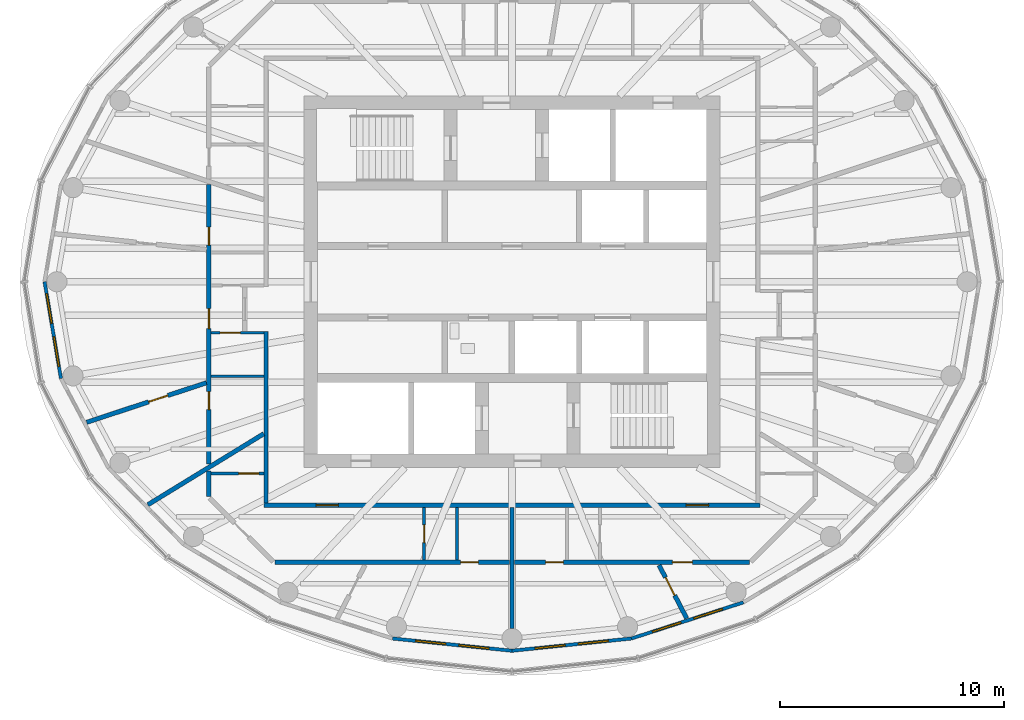
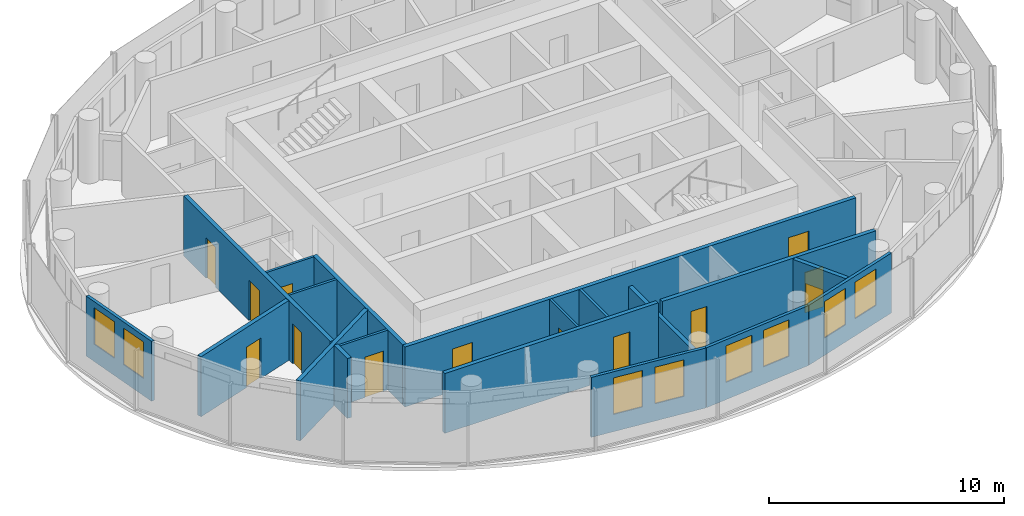
# One storey, part 5 of 12: 19 walls, 13 doors, 8 windows, 21 openings.
"""IFC4 building model written with IfcOpenShell, lengths in metres."""

from ifc_helpers import new_model, si_unit, direction, frame, frame_2d, origin, place, context, subcontext, project, spatial, rectangle, extrude, material, layer, layer_set, type_object, element, fill, save


model = new_model("IFC4")

# Units and contexts
model_context = context("Model", 3, precision=1e-05, world=origin(), true_north=direction((0.0, 1.0)))
body_context = subcontext(model_context, "Body", "Model", "MODEL_VIEW")
ifc_project = project(units=[si_unit("LENGTHUNIT", "METRE"), si_unit("AREAUNIT", "SQUARE_METRE"), si_unit("VOLUMEUNIT", "CUBIC_METRE"), si_unit("PLANEANGLEUNIT", "RADIAN"), si_unit("MASSUNIT", "GRAM", prefix="KILO")], contexts=[model_context])

# Site, building, storey
site_placement = place(None, origin())
site = spatial("IfcSite", under=ifc_project, at=site_placement, CompositionType="ELEMENT")
building_placement = place(site_placement, origin())
building = spatial("IfcBuilding", under=site, at=building_placement, Name="Hankou Lantern Tower", CompositionType="ELEMENT")
storey_placement = place(building_placement, frame((0.0, 0.0, 219.300048828125)))
storey = spatial("IfcBuildingStorey", under=building, at=storey_placement, Name="L59", CompositionType="ELEMENT", Elevation=219.300048828125)

# Wall, openings, windows
ifc_material_1 = material(Name="Aluminium spandrel panel on steel studs", Category="steel")
ifc_layer_1 = layer(ifc_material_1, 0.14990234375)
ifc_layer_set_1 = layer_set([ifc_layer_1], Name="Aluminium spandrel panel on steel studs")
wall_type_1 = type_object("IfcWallType", Name="EW1 INNER SKIN WALL 150", PredefinedType="ELEMENTEDWALL", material=ifc_layer_set_1)
wall_1_placement = place(storey_placement, frame((-20.89990234375, 0.0, 0.0), z_axis=(0.0, 0.0, 1.0), x_axis=(0.166538513568, -0.986034950445, 0.0)))
wall_1 = element("IfcWall", 1, at=wall_1_placement, inside=storey, type_object=wall_type_1, Name="Inner skin R13-R14 L59", PredefinedType="ELEMENTEDWALL", context=body_context, shape_type="SweptSolid", body=[
    extrude(rectangle(XDim=4.384765625, YDim=0.14990234375, at=frame_2d((2.1923828125, 0.0))), origin(), (0.0, 0.0, 1.0), 3.119873046875),
])
opening_1_placement = place(wall_1_placement, frame((0.54248046875, 0.0, 0.89990234375)))
opening_1 = element("IfcOpeningElement", 2, at=opening_1_placement, cuts=wall_1, Name="Opening W4", PredefinedType="OPENING", context=body_context, shape_type="SweptSolid", body=[
    extrude(rectangle(XDim=1.35009765625, YDim=1.89990234375, at=frame_2d((0.675048828125, 0.949951171875))), frame((0.0, 0.0849609375, 0.0), z_axis=(0.0, -1.0, 0.0), x_axis=(1.0, 0.0, 0.0)), (0.0, 0.0, 1.0), 0.169921875),
])
opening_2_placement = place(wall_1_placement, frame((2.492431640625, 0.0, 0.89990234375)))
opening_2 = element("IfcOpeningElement", 3, at=opening_2_placement, cuts=wall_1, Name="Opening W4", PredefinedType="OPENING", context=body_context, shape_type="SweptSolid", body=[
    extrude(rectangle(XDim=1.35009765625, YDim=1.89990234375, at=frame_2d((0.675048828125, 0.949951171875))), frame((0.0, 0.0849609375, 0.0), z_axis=(0.0, -1.0, 0.0), x_axis=(1.0, 0.0, 0.0)), (0.0, 0.0, 1.0), 0.169921875),
])
ifc_material_2 = material(Name="Aluminium framed double glazed window", Category="aluminium")
window_type = type_object("IfcWindowType", Name="W4 SUITE WINDOW 1350X1900", PartitioningType="DOUBLE_PANEL_VERTICAL", PredefinedType="WINDOW", material=ifc_material_2)
window_1_placement = place(opening_1_placement, origin())
window_1 = element("IfcWindow", 4, at=window_1_placement, inside=storey, type_object=window_type, Name="Window R13.1 L59", OverallHeight=1.89990234375, OverallWidth=1.35009765625, PartitioningType="SINGLE_PANEL", PredefinedType="WINDOW", context=body_context, shape_type="SweptSolid", body=[
    extrude(rectangle(XDim=1.35009765625, YDim=1.89990234375, at=frame_2d((0.675048828125, 0.949951171875))), frame((0.0, 0.030029296875, 0.0), z_axis=(0.0, -1.0, 0.0), x_axis=(1.0, 0.0, 0.0)), (0.0, 0.0, 1.0), 0.06005859375),
])
fill(opening_1, window_1)
window_2_placement = place(opening_2_placement, origin())
window_2 = element("IfcWindow", 5, at=window_2_placement, inside=storey, type_object=window_type, Name="Window R13.2 L59", OverallHeight=1.89990234375, OverallWidth=1.35009765625, PartitioningType="SINGLE_PANEL", PredefinedType="WINDOW", context=body_context, shape_type="SweptSolid", body=[
    extrude(rectangle(XDim=1.35009765625, YDim=1.89990234375, at=frame_2d((0.675048828125, 0.949951171875))), frame((0.0, 0.030029296875, 0.0), z_axis=(0.0, -1.0, 0.0), x_axis=(1.0, 0.0, 0.0)), (0.0, 0.0, 1.0), 0.06005859375),
])
fill(opening_2, window_2)

wall_2_placement = place(storey_placement, frame((-5.3427734375, -15.95166015625, 0.0), z_axis=(0.0, 0.0, 1.0), x_axis=(0.994774574972, -0.102095763818, 0.0)))
wall_2 = element("IfcWall", 6, at=wall_2_placement, inside=storey, type_object=wall_type_1, Name="Inner skin R18-R19 L59", PredefinedType="ELEMENTEDWALL", context=body_context, shape_type="SweptSolid", body=[
    extrude(rectangle(XDim=5.370849609375, YDim=0.14990234375, at=frame_2d((2.685546875, 0.0))), origin(), (0.0, 0.0, 1.0), 3.119873046875),
])
opening_3_placement = place(wall_2_placement, frame((1.035400390625, 0.0, 0.89990234375)))
opening_3 = element("IfcOpeningElement", 7, at=opening_3_placement, cuts=wall_2, Name="Opening W4", PredefinedType="OPENING", context=body_context, shape_type="SweptSolid", body=[
    extrude(rectangle(XDim=1.35009765625, YDim=1.89990234375, at=frame_2d((0.675048828125, 0.949951171875))), frame((0.0, 0.0849609375, 0.0), z_axis=(0.0, -1.0, 0.0), x_axis=(1.0, 0.0, 0.0)), (0.0, 0.0, 1.0), 0.169921875),
])
opening_4_placement = place(wall_2_placement, frame((2.9853515625, 0.0, 0.89990234375)))
opening_4 = element("IfcOpeningElement", 8, at=opening_4_placement, cuts=wall_2, Name="Opening W4", PredefinedType="OPENING", context=body_context, shape_type="SweptSolid", body=[
    extrude(rectangle(XDim=1.35009765625, YDim=1.89990234375, at=frame_2d((0.675048828125, 0.949951171875))), frame((0.0, 0.0849609375, 0.0), z_axis=(0.0, -1.0, 0.0), x_axis=(1.0, 0.0, 0.0)), (0.0, 0.0, 1.0), 0.169921875),
])
window_3_placement = place(opening_3_placement, origin())
window_3 = element("IfcWindow", 9, at=window_3_placement, inside=storey, type_object=window_type, Name="Window R18.1 L59", OverallHeight=1.89990234375, OverallWidth=1.35009765625, PartitioningType="SINGLE_PANEL", PredefinedType="WINDOW", context=body_context, shape_type="SweptSolid", body=[
    extrude(rectangle(XDim=1.35009765625, YDim=1.89990234375, at=frame_2d((0.675048828125, 0.949951171875))), frame((0.0, 0.030029296875, 0.0), z_axis=(0.0, -1.0, 0.0), x_axis=(1.0, 0.0, 0.0)), (0.0, 0.0, 1.0), 0.06005859375),
])
fill(opening_3, window_3)
window_4_placement = place(opening_4_placement, origin())
window_4 = element("IfcWindow", 10, at=window_4_placement, inside=storey, type_object=window_type, Name="Window R18.2 L59", OverallHeight=1.89990234375, OverallWidth=1.35009765625, PartitioningType="SINGLE_PANEL", PredefinedType="WINDOW", context=body_context, shape_type="SweptSolid", body=[
    extrude(rectangle(XDim=1.35009765625, YDim=1.89990234375, at=frame_2d((0.675048828125, 0.949951171875))), frame((0.0, 0.030029296875, 0.0), z_axis=(0.0, -1.0, 0.0), x_axis=(1.0, 0.0, 0.0)), (0.0, 0.0, 1.0), 0.06005859375),
])
fill(opening_4, window_4)

wall_3_placement = place(storey_placement, frame((0.0, -16.5, 0.0), z_axis=(0.0, 0.0, 1.0), x_axis=(0.994774574972, 0.102095763818, 0.0)))
wall_3 = element("IfcWall", 11, at=wall_3_placement, inside=storey, type_object=wall_type_1, Name="Inner skin R19-R20 L59", PredefinedType="ELEMENTEDWALL", context=body_context, shape_type="SweptSolid", body=[
    extrude(rectangle(XDim=5.370849609375, YDim=0.14990234375, at=frame_2d((2.685546875, 0.0))), origin(), (0.0, 0.0, 1.0), 3.119873046875),
])
opening_5_placement = place(wall_3_placement, frame((1.035400390625, 0.0, 0.89990234375)))
opening_5 = element("IfcOpeningElement", 12, at=opening_5_placement, cuts=wall_3, Name="Opening W4", PredefinedType="OPENING", context=body_context, shape_type="SweptSolid", body=[
    extrude(rectangle(XDim=1.35009765625, YDim=1.89990234375, at=frame_2d((0.675048828125, 0.949951171875))), frame((0.0, 0.0849609375, 0.0), z_axis=(0.0, -1.0, 0.0), x_axis=(1.0, 0.0, 0.0)), (0.0, 0.0, 1.0), 0.169921875),
])
opening_6_placement = place(wall_3_placement, frame((2.9853515625, 0.0, 0.89990234375)))
opening_6 = element("IfcOpeningElement", 13, at=opening_6_placement, cuts=wall_3, Name="Opening W4", PredefinedType="OPENING", context=body_context, shape_type="SweptSolid", body=[
    extrude(rectangle(XDim=1.35009765625, YDim=1.89990234375, at=frame_2d((0.675048828125, 0.949951171875))), frame((0.0, 0.0849609375, 0.0), z_axis=(0.0, -1.0, 0.0), x_axis=(1.0, 0.0, 0.0)), (0.0, 0.0, 1.0), 0.169921875),
])
window_5_placement = place(opening_5_placement, origin())
window_5 = element("IfcWindow", 14, at=window_5_placement, inside=storey, type_object=window_type, Name="Window R19.1 L59", OverallHeight=1.89990234375, OverallWidth=1.35009765625, PartitioningType="SINGLE_PANEL", PredefinedType="WINDOW", context=body_context, shape_type="SweptSolid", body=[
    extrude(rectangle(XDim=1.35009765625, YDim=1.89990234375, at=frame_2d((0.675048828125, 0.949951171875))), frame((0.0, 0.030029296875, 0.0), z_axis=(0.0, -1.0, 0.0), x_axis=(1.0, 0.0, 0.0)), (0.0, 0.0, 1.0), 0.06005859375),
])
fill(opening_5, window_5)
window_6_placement = place(opening_6_placement, origin())
window_6 = element("IfcWindow", 15, at=window_6_placement, inside=storey, type_object=window_type, Name="Window R19.2 L59", OverallHeight=1.89990234375, OverallWidth=1.35009765625, PartitioningType="SINGLE_PANEL", PredefinedType="WINDOW", context=body_context, shape_type="SweptSolid", body=[
    extrude(rectangle(XDim=1.35009765625, YDim=1.89990234375, at=frame_2d((0.675048828125, 0.949951171875))), frame((0.0, 0.030029296875, 0.0), z_axis=(0.0, -1.0, 0.0), x_axis=(1.0, 0.0, 0.0)), (0.0, 0.0, 1.0), 0.06005859375),
])
fill(opening_6, window_6)

wall_4_placement = place(storey_placement, frame((5.3427734375, -15.95166015625, 0.0), z_axis=(0.0, 0.0, 1.0), x_axis=(0.951644702515, 0.307200846638, 0.0)))
wall_4 = element("IfcWall", 16, at=wall_4_placement, inside=storey, type_object=wall_type_1, Name="Inner skin R20-R21 L59", PredefinedType="ELEMENTEDWALL", context=body_context, shape_type="SweptSolid", body=[
    extrude(rectangle(XDim=5.2578125, YDim=0.14990234375, at=frame_2d((2.62890625, 0.0))), origin(), (0.0, 0.0, 1.0), 3.119873046875),
])
opening_7_placement = place(wall_4_placement, frame((0.97900390625, 0.0, 0.89990234375)))
opening_7 = element("IfcOpeningElement", 17, at=opening_7_placement, cuts=wall_4, Name="Opening W4", PredefinedType="OPENING", context=body_context, shape_type="SweptSolid", body=[
    extrude(rectangle(XDim=1.35009765625, YDim=1.89990234375, at=frame_2d((0.675048828125, 0.949951171875))), frame((0.0, 0.0849609375, 0.0), z_axis=(0.0, -1.0, 0.0), x_axis=(1.0, 0.0, 0.0)), (0.0, 0.0, 1.0), 0.169921875),
])
opening_8_placement = place(wall_4_placement, frame((2.928955078125, 0.0, 0.89990234375)))
opening_8 = element("IfcOpeningElement", 18, at=opening_8_placement, cuts=wall_4, Name="Opening W4", PredefinedType="OPENING", context=body_context, shape_type="SweptSolid", body=[
    extrude(rectangle(XDim=1.35009765625, YDim=1.89990234375, at=frame_2d((0.675048828125, 0.949951171875))), frame((0.0, 0.0849609375, 0.0), z_axis=(0.0, -1.0, 0.0), x_axis=(1.0, 0.0, 0.0)), (0.0, 0.0, 1.0), 0.169921875),
])
window_7_placement = place(opening_7_placement, origin())
window_7 = element("IfcWindow", 19, at=window_7_placement, inside=storey, type_object=window_type, Name="Window R20.1 L59", OverallHeight=1.89990234375, OverallWidth=1.35009765625, PartitioningType="SINGLE_PANEL", PredefinedType="WINDOW", context=body_context, shape_type="SweptSolid", body=[
    extrude(rectangle(XDim=1.35009765625, YDim=1.89990234375, at=frame_2d((0.675048828125, 0.949951171875))), frame((0.0, 0.030029296875, 0.0), z_axis=(0.0, -1.0, 0.0), x_axis=(1.0, 0.0, 0.0)), (0.0, 0.0, 1.0), 0.06005859375),
])
fill(opening_7, window_7)
window_8_placement = place(opening_8_placement, origin())
window_8 = element("IfcWindow", 20, at=window_8_placement, inside=storey, type_object=window_type, Name="Window R20.2 L59", OverallHeight=1.89990234375, OverallWidth=1.35009765625, PartitioningType="SINGLE_PANEL", PredefinedType="WINDOW", context=body_context, shape_type="SweptSolid", body=[
    extrude(rectangle(XDim=1.35009765625, YDim=1.89990234375, at=frame_2d((0.675048828125, 0.949951171875))), frame((0.0, 0.030029296875, 0.0), z_axis=(0.0, -1.0, 0.0), x_axis=(1.0, 0.0, 0.0)), (0.0, 0.0, 1.0), 0.06005859375),
])
fill(opening_8, window_8)

# Walls
ifc_material_3 = material(Name="Masonry lightweight concrete block", Category="masonry")
ifc_layer_2 = layer(ifc_material_3, 0.199951171875)
ifc_layer_set_2 = layer_set([ifc_layer_2], Name="Masonry lightweight concrete block")
wall_type_2 = type_object("IfcWallType", Name="IW1 GUEST ROOM PARTY WALL 200", PredefinedType="PARTITIONING", material=ifc_layer_set_2)
wall_5_placement = place(storey_placement, frame((-11.10009765625, -6.79736328125, 0.0), z_axis=(0.0, 0.0, 1.0), x_axis=(-0.852799818179, -0.522237943963, 0.0)))
element("IfcWall", 21, at=wall_5_placement, inside=storey, type_object=wall_type_2, Name="Party wall R15-R16", PredefinedType="PARTITIONING", context=body_context, shape_type="SweptSolid", body=[
    extrude(rectangle(XDim=6.076904296875, YDim=0.199951171875, at=frame_2d((3.03857421875, 0.0))), origin(), (0.0, 0.0, 1.0), 3.119873046875),
])
wall_6_placement = place(storey_placement, frame((0.0, -10.10009765625, 0.0), z_axis=(0.0, 0.0, 1.0), x_axis=(0.0, -1.0, 0.0)))
element("IfcWall", 22, at=wall_6_placement, inside=storey, type_object=wall_type_2, Name="Party wall R19", PredefinedType="PARTITIONING", context=body_context, shape_type="SweptSolid", body=[
    extrude(rectangle(XDim=5.39990234375, YDim=0.199951171875, at=frame_2d((2.699951171875, 0.0))), origin(), (0.0, 0.0, 1.0), 2.419921875),
])

# Wall, openings, doors
ifc_material_4 = material(Name="Masonry lightweight concrete block", Category="masonry")
ifc_layer_3 = layer(ifc_material_4, 0.199951171875)
ifc_layer_set_3 = layer_set([ifc_layer_3], Name="Masonry lightweight concrete block")
wall_type_3 = type_object("IfcWallType", Name="IW2 CORRIDOR WALL 200", PredefinedType="PARTITIONING", material=ifc_layer_set_3)
wall_7_placement = place(storey_placement, frame((11.10009765625, -10.0, 0.0), z_axis=(0.0, 0.0, 1.0), x_axis=(-1.0, 0.0, 0.0)))
wall_7 = element("IfcWall", 23, at=wall_7_placement, inside=storey, type_object=wall_type_3, Name="Corridor wall south", PredefinedType="PARTITIONING", context=body_context, shape_type="SweptSolid", body=[
    extrude(rectangle(XDim=22.2001953125, YDim=0.199951171875, at=frame_2d((11.10009765625, 0.0))), origin(), (0.0, 0.0, 1.0), 3.119873046875),
])
opening_9_placement = place(wall_7_placement, frame((18.8642578125, 0.0, 0.0)))
opening_9 = element("IfcOpeningElement", 24, at=opening_9_placement, cuts=wall_7, Name="Opening D2", PredefinedType="OPENING", context=body_context, shape_type="SweptSolid", body=[
    extrude(rectangle(XDim=1.0, YDim=2.199951171875, at=frame_2d((0.5, 1.10009765625))), frame((0.0, 0.10986328125, 0.0), z_axis=(0.0, -1.0, 0.0), x_axis=(1.0, 0.0, 0.0)), (0.0, 0.0, 1.0), 0.219970703125),
])
opening_10_placement = place(wall_7_placement, frame((2.30908203125, 0.0, 0.0)))
opening_10 = element("IfcOpeningElement", 25, at=opening_10_placement, cuts=wall_7, Name="Opening D2", PredefinedType="OPENING", context=body_context, shape_type="SweptSolid", body=[
    extrude(rectangle(XDim=1.0, YDim=2.199951171875, at=frame_2d((0.5, 1.10009765625))), frame((0.0, 0.10986328125, 0.0), z_axis=(0.0, -1.0, 0.0), x_axis=(1.0, 0.0, 0.0)), (0.0, 0.0, 1.0), 0.219970703125),
])
ifc_material_5 = material(Name="Steel door leaf", Category="steel")
door_type_1 = type_object("IfcDoorType", Name="D2 SUITE DOOR 1000X2200", OperationType="SINGLE_SWING_LEFT", PredefinedType="DOOR", material=ifc_material_5)
door_1_placement = place(opening_9_placement, origin())
door_1 = element("IfcDoor", 26, at=door_1_placement, inside=storey, type_object=door_type_1, Name="Suite door 5904", OperationType="SINGLE_SWING_LEFT", OverallHeight=2.199951171875, OverallWidth=1.0, PredefinedType="DOOR", context=body_context, shape_type="SweptSolid", body=[
    extrude(rectangle(XDim=1.0, YDim=2.199951171875, at=frame_2d((0.5, 1.10009765625))), frame((0.0, 0.02490234375, 0.0), z_axis=(0.0, -1.0, 0.0), x_axis=(1.0, 0.0, 0.0)), (0.0, 0.0, 1.0), 0.050048828125),
])
fill(opening_9, door_1)
door_2_placement = place(opening_10_placement, origin())
door_2 = element("IfcDoor", 27, at=door_2_placement, inside=storey, type_object=door_type_1, Name="Suite door 5905", OperationType="SINGLE_SWING_RIGHT", OverallHeight=2.199951171875, OverallWidth=1.0, PredefinedType="DOOR", context=body_context, shape_type="SweptSolid", body=[
    extrude(rectangle(XDim=1.0, YDim=2.199951171875, at=frame_2d((0.5, 1.10009765625))), frame((0.0, 0.02490234375, 0.0), z_axis=(0.0, -1.0, 0.0), x_axis=(1.0, 0.0, 0.0)), (0.0, 0.0, 1.0), 0.050048828125),
])
fill(opening_10, door_2)

# Wall
wall_8_placement = place(storey_placement, frame((-11.0, -2.234375, 0.0), z_axis=(0.0, 0.0, 1.0), x_axis=(0.0, -1.0, 0.0)))
element("IfcWall", 28, at=wall_8_placement, inside=storey, type_object=wall_type_3, Name="Corridor wall west", PredefinedType="PARTITIONING", context=body_context, shape_type="SweptSolid", body=[
    extrude(rectangle(XDim=7.66552734375, YDim=0.199951171875, at=frame_2d((3.832763671875, 0.0))), origin(), (0.0, 0.0, 1.0), 3.119873046875),
])

# Wall, opening, door
ifc_material_6 = material(Name="Masonry lightweight concrete block", Category="masonry")
ifc_layer_4 = layer(ifc_material_6, 0.1201171875)
ifc_layer_set_4 = layer_set([ifc_layer_4], Name="Masonry lightweight concrete block")
wall_type_4 = type_object("IfcWallType", Name="IW3 BATHROOM WALL 120", PredefinedType="PARTITIONING", material=ifc_layer_set_4)
wall_9_placement = place(storey_placement, frame((-11.10009765625, -2.284423828125, 0.0), z_axis=(0.0, 0.0, 1.0), x_axis=(-1.0, 0.0, 0.0)))
wall_9 = element("IfcWall", 29, at=wall_9_placement, inside=storey, type_object=wall_type_4, Name="Box wall 5903 3", PredefinedType="PARTITIONING", context=body_context, shape_type="SweptSolid", body=[
    extrude(rectangle(XDim=2.349853515625, YDim=0.1201171875, at=frame_2d((1.1748046875, 0.0))), origin(), (0.0, 0.0, 1.0), 3.119873046875),
])
opening_11_placement = place(wall_9_placement, frame((1.050048828125, 0.0, 0.0)))
opening_11 = element("IfcOpeningElement", 30, at=opening_11_placement, cuts=wall_9, Name="Opening D27", PredefinedType="OPENING", context=body_context, shape_type="SweptSolid", body=[
    extrude(rectangle(XDim=0.89990234375, YDim=2.10009765625, at=frame_2d((0.449951171875, 1.050048828125))), frame((0.0, 0.070068359375, 0.0), z_axis=(0.0, -1.0, 0.0), x_axis=(1.0, 0.0, 0.0)), (0.0, 0.0, 1.0), 0.14013671875),
])
ifc_material_7 = material(Name="Timber door leaf", Category="wood")
door_type_2 = type_object("IfcDoorType", Name="D27 INTERNAL DOOR 900X2100", OperationType="SINGLE_SWING_LEFT", PredefinedType="DOOR", material=ifc_material_7)
door_3_placement = place(opening_11_placement, origin())
door_3 = element("IfcDoor", 31, at=door_3_placement, inside=storey, type_object=door_type_2, Name="Family suite 5903 walk-in wardrobe door", OperationType="SINGLE_SWING_RIGHT", OverallHeight=2.10009765625, OverallWidth=0.89990234375, PredefinedType="DOOR", context=body_context, shape_type="SweptSolid", body=[
    extrude(rectangle(XDim=0.89990234375, YDim=2.10009765625, at=frame_2d((0.449951171875, 1.050048828125))), frame((0.0, 0.02490234375, 0.0), z_axis=(0.0, -1.0, 0.0), x_axis=(1.0, 0.0, 0.0)), (0.0, 0.0, 1.0), 0.050048828125),
])
fill(opening_11, door_3)

# Wall
wall_10_placement = place(storey_placement, frame((-11.10009765625, -4.227783203125, 0.0), z_axis=(0.0, 0.0, 1.0), x_axis=(-1.0, 0.0, 0.0)))
element("IfcWall", 32, at=wall_10_placement, inside=storey, type_object=wall_type_4, Name="Box wall 5903 4", PredefinedType="PARTITIONING", context=body_context, shape_type="SweptSolid", body=[
    extrude(rectangle(XDim=2.349853515625, YDim=0.1201171875, at=frame_2d((1.1748046875, 0.0))), origin(), (0.0, 0.0, 1.0), 3.119873046875),
])

# Wall, opening, door
wall_11_placement = place(storey_placement, frame((-11.10009765625, -8.57568359375, 0.0), z_axis=(0.0, 0.0, 1.0), x_axis=(-1.0, 0.0, 0.0)))
wall_11 = element("IfcWall", 33, at=wall_11_placement, inside=storey, type_object=wall_type_4, Name="Box wall 5904 1", PredefinedType="PARTITIONING", context=body_context, shape_type="SweptSolid", body=[
    extrude(rectangle(XDim=2.349853515625, YDim=0.1201171875, at=frame_2d((1.1748046875, 0.0))), origin(), (0.0, 0.0, 1.0), 3.119873046875),
])
opening_12_placement = place(wall_11_placement, frame((0.219970703125, 0.0, 0.0)))
opening_12 = element("IfcOpeningElement", 34, at=opening_12_placement, cuts=wall_11, Name="Opening D27", PredefinedType="OPENING", context=body_context, shape_type="SweptSolid", body=[
    extrude(rectangle(XDim=0.89990234375, YDim=2.10009765625, at=frame_2d((0.449951171875, 1.050048828125))), frame((0.0, 0.070068359375, 0.0), z_axis=(0.0, -1.0, 0.0), x_axis=(1.0, 0.0, 0.0)), (0.0, 0.0, 1.0), 0.14013671875),
])
door_4_placement = place(opening_12_placement, origin())
door_4 = element("IfcDoor", 35, at=door_4_placement, inside=storey, type_object=door_type_2, Name="Suite 5904 walk-in wardrobe door", OperationType="SINGLE_SWING_LEFT", OverallHeight=2.10009765625, OverallWidth=0.89990234375, PredefinedType="DOOR", context=body_context, shape_type="SweptSolid", body=[
    extrude(rectangle(XDim=0.89990234375, YDim=2.10009765625, at=frame_2d((0.449951171875, 1.050048828125))), frame((0.0, 0.02490234375, 0.0), z_axis=(0.0, -1.0, 0.0), x_axis=(1.0, 0.0, 0.0)), (0.0, 0.0, 1.0), 0.050048828125),
])
fill(opening_12, door_4)

wall_12_placement = place(storey_placement, frame((-3.930908203125, -10.10009765625, 0.0), z_axis=(0.0, 0.0, 1.0), x_axis=(0.0, -1.0, 0.0)))
wall_12 = element("IfcWall", 36, at=wall_12_placement, inside=storey, type_object=wall_type_4, Name="Box wall 5904 2", PredefinedType="PARTITIONING", context=body_context, shape_type="SweptSolid", body=[
    extrude(rectangle(XDim=2.349853515625, YDim=0.1201171875, at=frame_2d((1.1748046875, 0.0))), origin(), (0.0, 0.0, 1.0), 3.119873046875),
])
opening_13_placement = place(wall_12_placement, frame((0.77001953125, 0.0, 0.0)))
opening_13 = element("IfcOpeningElement", 37, at=opening_13_placement, cuts=wall_12, Name="Opening D3", PredefinedType="OPENING", context=body_context, shape_type="SweptSolid", body=[
    extrude(rectangle(XDim=0.800048828125, YDim=2.10009765625, at=frame_2d((0.39990234375, 1.050048828125))), frame((0.0, 0.070068359375, 0.0), z_axis=(0.0, -1.0, 0.0), x_axis=(1.0, 0.0, 0.0)), (0.0, 0.0, 1.0), 0.14013671875),
])
ifc_material_8 = material(Name="Timber door leaf", Category="wood")
door_type_3 = type_object("IfcDoorType", Name="D3 BATHROOM DOOR 800X2100", OperationType="SINGLE_SWING_LEFT", PredefinedType="DOOR", material=ifc_material_8)
door_5_placement = place(opening_13_placement, origin())
door_5 = element("IfcDoor", 38, at=door_5_placement, inside=storey, type_object=door_type_3, Name="Suite 5904 guest WC door", OperationType="SINGLE_SWING_LEFT", OverallHeight=2.10009765625, OverallWidth=0.800048828125, PredefinedType="DOOR", context=body_context, shape_type="SweptSolid", body=[
    extrude(rectangle(XDim=0.800048828125, YDim=2.10009765625, at=frame_2d((0.39990234375, 1.050048828125))), frame((0.0, 0.02490234375, 0.0), z_axis=(0.0, -1.0, 0.0), x_axis=(1.0, 0.0, 0.0)), (0.0, 0.0, 1.0), 0.050048828125),
])
fill(opening_13, door_5)

# Wall
wall_13_placement = place(storey_placement, frame((-2.4609375, -10.10009765625, 0.0), z_axis=(0.0, 0.0, 1.0), x_axis=(0.0, -1.0, 0.0)))
element("IfcWall", 39, at=wall_13_placement, inside=storey, type_object=wall_type_4, Name="Box wall 5904 3", PredefinedType="PARTITIONING", context=body_context, shape_type="SweptSolid", body=[
    extrude(rectangle(XDim=2.349853515625, YDim=0.1201171875, at=frame_2d((1.1748046875, 0.0))), origin(), (0.0, 0.0, 1.0), 3.119873046875),
])

# Wall, openings, doors
ifc_material_9 = material(Name="Masonry lightweight concrete block", Category="masonry")
ifc_layer_5 = layer(ifc_material_9, 0.199951171875)
ifc_layer_set_5 = layer_set([ifc_layer_5], Name="Masonry lightweight concrete block")
wall_type_5 = type_object("IfcWallType", Name="IW6 SUITE PARTITION 200", PredefinedType="PARTITIONING", material=ifc_layer_set_5)
wall_14_placement = place(storey_placement, frame((-13.550048828125, 4.357177734375, 0.0), z_axis=(0.0, 0.0, 1.0), x_axis=(0.0, -1.0, 0.0)))
wall_14 = element("IfcWall", 40, at=wall_14_placement, inside=storey, type_object=wall_type_5, Name="Suite foyer wall 5903", PredefinedType="PARTITIONING", context=body_context, shape_type="SweptSolid", body=[
    extrude(rectangle(XDim=12.496337890625, YDim=0.199951171875, at=frame_2d((6.248046875, 0.0))), origin(), (0.0, 0.0, 1.0), 3.119873046875),
])
opening_14_placement = place(wall_14_placement, frame((1.919921875, 0.0, 0.0)))
opening_14 = element("IfcOpeningElement", 41, at=opening_14_placement, cuts=wall_14, Name="Opening D3", PredefinedType="OPENING", context=body_context, shape_type="SweptSolid", body=[
    extrude(rectangle(XDim=0.800048828125, YDim=2.10009765625, at=frame_2d((0.39990234375, 1.050048828125))), frame((0.0, 0.10986328125, 0.0), z_axis=(0.0, -1.0, 0.0), x_axis=(1.0, 0.0, 0.0)), (0.0, 0.0, 1.0), 0.219970703125),
])
opening_15_placement = place(wall_14_placement, frame((9.27001953125, 0.0, 0.0)))
opening_15 = element("IfcOpeningElement", 42, at=opening_15_placement, cuts=wall_14, Name="Opening D3", PredefinedType="OPENING", context=body_context, shape_type="SweptSolid", body=[
    extrude(rectangle(XDim=0.800048828125, YDim=2.10009765625, at=frame_2d((0.39990234375, 1.050048828125))), frame((0.0, 0.10986328125, 0.0), z_axis=(0.0, -1.0, 0.0), x_axis=(1.0, 0.0, 0.0)), (0.0, 0.0, 1.0), 0.219970703125),
])
opening_16_placement = place(wall_14_placement, frame((5.556640625, 0.0, 0.0)))
opening_16 = element("IfcOpeningElement", 43, at=opening_16_placement, cuts=wall_14, Name="Opening D27", PredefinedType="OPENING", context=body_context, shape_type="SweptSolid", body=[
    extrude(rectangle(XDim=0.89990234375, YDim=2.10009765625, at=frame_2d((0.449951171875, 1.050048828125))), frame((0.0, 0.10986328125, 0.0), z_axis=(0.0, -1.0, 0.0), x_axis=(1.0, 0.0, 0.0)), (0.0, 0.0, 1.0), 0.219970703125),
])
door_6_placement = place(opening_16_placement, origin())
door_6 = element("IfcDoor", 44, at=door_6_placement, inside=storey, type_object=door_type_2, Name="Family suite 5903 living room door", OperationType="SINGLE_SWING_RIGHT", OverallHeight=2.10009765625, OverallWidth=0.89990234375, PredefinedType="DOOR", context=body_context, shape_type="SweptSolid", body=[
    extrude(rectangle(XDim=0.89990234375, YDim=2.10009765625, at=frame_2d((0.449951171875, 1.050048828125))), frame((0.0, 0.02490234375, 0.0), z_axis=(0.0, -1.0, 0.0), x_axis=(1.0, 0.0, 0.0)), (0.0, 0.0, 1.0), 0.050048828125),
])
fill(opening_16, door_6)
door_7_placement = place(opening_14_placement, origin())
door_7 = element("IfcDoor", 45, at=door_7_placement, inside=storey, type_object=door_type_3, Name="Family suite 5903 bathroom door", OperationType="SINGLE_SWING_RIGHT", OverallHeight=2.10009765625, OverallWidth=0.800048828125, PredefinedType="DOOR", context=body_context, shape_type="SweptSolid", body=[
    extrude(rectangle(XDim=0.800048828125, YDim=2.10009765625, at=frame_2d((0.39990234375, 1.050048828125))), frame((0.0, 0.02490234375, 0.0), z_axis=(0.0, -1.0, 0.0), x_axis=(1.0, 0.0, 0.0)), (0.0, 0.0, 1.0), 0.050048828125),
])
fill(opening_14, door_7)
door_8_placement = place(opening_15_placement, origin())
door_8 = element("IfcDoor", 46, at=door_8_placement, inside=storey, type_object=door_type_3, Name="Family suite 5903 second bathroom door", OperationType="SINGLE_SWING_LEFT", OverallHeight=2.10009765625, OverallWidth=0.800048828125, PredefinedType="DOOR", context=body_context, shape_type="SweptSolid", body=[
    extrude(rectangle(XDim=0.800048828125, YDim=2.10009765625, at=frame_2d((0.39990234375, 1.050048828125))), frame((0.0, 0.02490234375, 0.0), z_axis=(0.0, -1.0, 0.0), x_axis=(1.0, 0.0, 0.0)), (0.0, 0.0, 1.0), 0.050048828125),
])
fill(opening_15, door_8)

# Wall, opening, door
wall_15_placement = place(storey_placement, frame((-13.664306640625, -4.516357421875, 0.0), z_axis=(0.0, 0.0, 1.0), x_axis=(-0.949481375941, -0.313823384632, 0.0)))
wall_15 = element("IfcWall", 47, at=wall_15_placement, inside=storey, type_object=wall_type_5, Name="Suite partition R14-R15", PredefinedType="PARTITIONING", context=body_context, shape_type="SweptSolid", body=[
    extrude(rectangle(XDim=5.637939453125, YDim=0.199951171875, at=frame_2d((2.81884765625, 0.0))), origin(), (0.0, 0.0, 1.0), 3.119873046875),
])
opening_17_placement = place(wall_15_placement, frame((1.820068359375, 0.0, 0.0)))
opening_17 = element("IfcOpeningElement", 48, at=opening_17_placement, cuts=wall_15, Name="Opening D27", PredefinedType="OPENING", context=body_context, shape_type="SweptSolid", body=[
    extrude(rectangle(XDim=0.89990234375, YDim=2.10009765625, at=frame_2d((0.449951171875, 1.050048828125))), frame((0.0, 0.10986328125, 0.0), z_axis=(0.0, -1.0, 0.0), x_axis=(1.0, 0.0, 0.0)), (0.0, 0.0, 1.0), 0.219970703125),
])
door_9_placement = place(opening_17_placement, origin())
door_9 = element("IfcDoor", 49, at=door_9_placement, inside=storey, type_object=door_type_2, Name="Family suite 5903 second bedroom door", OperationType="SINGLE_SWING_LEFT", OverallHeight=2.10009765625, OverallWidth=0.89990234375, PredefinedType="DOOR", context=body_context, shape_type="SweptSolid", body=[
    extrude(rectangle(XDim=0.89990234375, YDim=2.10009765625, at=frame_2d((0.449951171875, 1.050048828125))), frame((0.0, 0.02490234375, 0.0), z_axis=(0.0, -1.0, 0.0), x_axis=(1.0, 0.0, 0.0)), (0.0, 0.0, 1.0), 0.050048828125),
])
fill(opening_17, door_9)

# Wall
wall_16_placement = place(storey_placement, frame((-13.550048828125, -8.4560546875, 0.0), z_axis=(0.0, 0.0, 1.0), x_axis=(0.0, -1.0, 0.0)))
element("IfcWall", 50, at=wall_16_placement, inside=storey, type_object=wall_type_5, Name="Suite foyer wall 5904", PredefinedType="PARTITIONING", context=body_context, shape_type="SweptSolid", body=[
    extrude(rectangle(XDim=1.152587890625, YDim=0.199951171875, at=frame_2d((0.576171875, 0.0))), origin(), (0.0, 0.0, 1.0), 3.119873046875),
])

# Wall, opening, door
wall_17_placement = place(storey_placement, frame((-10.608642578125, -12.550048828125, 0.0), z_axis=(0.0, 0.0, 1.0), x_axis=(1.0, 0.0, 0.0)))
wall_17 = element("IfcWall", 51, at=wall_17_placement, inside=storey, type_object=wall_type_5, Name="Suite foyer wall 5904", PredefinedType="PARTITIONING", context=body_context, shape_type="SweptSolid", body=[
    extrude(rectangle(XDim=10.507568359375, YDim=0.199951171875, at=frame_2d((5.25390625, 0.0))), origin(), (0.0, 0.0, 1.0), 3.119873046875),
])
opening_18_placement = place(wall_17_placement, frame((8.3076171875, 0.0, 0.0)))
opening_18 = element("IfcOpeningElement", 52, at=opening_18_placement, cuts=wall_17, Name="Opening D3", PredefinedType="OPENING", context=body_context, shape_type="SweptSolid", body=[
    extrude(rectangle(XDim=0.800048828125, YDim=2.10009765625, at=frame_2d((0.39990234375, 1.050048828125))), frame((0.0, 0.10986328125, 0.0), z_axis=(0.0, -1.0, 0.0), x_axis=(1.0, 0.0, 0.0)), (0.0, 0.0, 1.0), 0.219970703125),
])
door_10_placement = place(opening_18_placement, origin())
door_10 = element("IfcDoor", 53, at=door_10_placement, inside=storey, type_object=door_type_3, Name="Suite 5904 bathroom door", OperationType="SINGLE_SWING_LEFT", OverallHeight=2.10009765625, OverallWidth=0.800048828125, PredefinedType="DOOR", context=body_context, shape_type="SweptSolid", body=[
    extrude(rectangle(XDim=0.800048828125, YDim=2.10009765625, at=frame_2d((0.39990234375, 1.050048828125))), frame((0.0, 0.02490234375, 0.0), z_axis=(0.0, -1.0, 0.0), x_axis=(1.0, 0.0, 0.0)), (0.0, 0.0, 1.0), 0.050048828125),
])
fill(opening_18, door_10)

# Wall, openings, doors
wall_18_placement = place(storey_placement, frame((0.10107421875, -12.550048828125, 0.0), z_axis=(0.0, 0.0, 1.0), x_axis=(1.0, 0.0, 0.0)))
wall_18 = element("IfcWall", 54, at=wall_18_placement, inside=storey, type_object=wall_type_5, Name="Suite foyer wall 5905", PredefinedType="PARTITIONING", context=body_context, shape_type="SweptSolid", body=[
    extrude(rectangle(XDim=10.507568359375, YDim=0.199951171875, at=frame_2d((5.25390625, 0.0))), origin(), (0.0, 0.0, 1.0), 3.119873046875),
])
opening_19_placement = place(wall_18_placement, frame((1.39990234375, 0.0, 0.0)))
opening_19 = element("IfcOpeningElement", 55, at=opening_19_placement, cuts=wall_18, Name="Opening D3", PredefinedType="OPENING", context=body_context, shape_type="SweptSolid", body=[
    extrude(rectangle(XDim=0.800048828125, YDim=2.10009765625, at=frame_2d((0.39990234375, 1.050048828125))), frame((0.0, 0.10986328125, 0.0), z_axis=(0.0, -1.0, 0.0), x_axis=(1.0, 0.0, 0.0)), (0.0, 0.0, 1.0), 0.219970703125),
])
opening_20_placement = place(wall_18_placement, frame((7.070068359375, 0.0, 0.0)))
opening_20 = element("IfcOpeningElement", 56, at=opening_20_placement, cuts=wall_18, Name="Opening D27", PredefinedType="OPENING", context=body_context, shape_type="SweptSolid", body=[
    extrude(rectangle(XDim=0.89990234375, YDim=2.10009765625, at=frame_2d((0.449951171875, 1.050048828125))), frame((0.0, 0.10986328125, 0.0), z_axis=(0.0, -1.0, 0.0), x_axis=(1.0, 0.0, 0.0)), (0.0, 0.0, 1.0), 0.219970703125),
])
door_11_placement = place(opening_20_placement, origin())
door_11 = element("IfcDoor", 57, at=door_11_placement, inside=storey, type_object=door_type_2, Name="Suite 5905 living room door", OperationType="SINGLE_SWING_LEFT", OverallHeight=2.10009765625, OverallWidth=0.89990234375, PredefinedType="DOOR", context=body_context, shape_type="SweptSolid", body=[
    extrude(rectangle(XDim=0.89990234375, YDim=2.10009765625, at=frame_2d((0.449951171875, 1.050048828125))), frame((0.0, 0.02490234375, 0.0), z_axis=(0.0, -1.0, 0.0), x_axis=(1.0, 0.0, 0.0)), (0.0, 0.0, 1.0), 0.050048828125),
])
fill(opening_20, door_11)
door_12_placement = place(opening_19_placement, origin())
door_12 = element("IfcDoor", 58, at=door_12_placement, inside=storey, type_object=door_type_3, Name="Suite 5905 bathroom door", OperationType="SINGLE_SWING_RIGHT", OverallHeight=2.10009765625, OverallWidth=0.800048828125, PredefinedType="DOOR", context=body_context, shape_type="SweptSolid", body=[
    extrude(rectangle(XDim=0.800048828125, YDim=2.10009765625, at=frame_2d((0.39990234375, 1.050048828125))), frame((0.0, 0.02490234375, 0.0), z_axis=(0.0, -1.0, 0.0), x_axis=(1.0, 0.0, 0.0)), (0.0, 0.0, 1.0), 0.050048828125),
])
fill(opening_19, door_12)

# Wall, opening, door
wall_19_placement = place(storey_placement, frame((6.578125, -12.676513671875, 0.0), z_axis=(0.0, 0.0, 1.0), x_axis=(0.460620531465, -0.887597164255, 0.0)))
wall_19 = element("IfcWall", 59, at=wall_19_placement, inside=storey, type_object=wall_type_5, Name="Suite partition R20-R21", PredefinedType="PARTITIONING", context=body_context, shape_type="SweptSolid", body=[
    extrude(rectangle(XDim=2.677734375, YDim=0.199951171875, at=frame_2d((1.3388671875, 0.0))), origin(), (0.0, 0.0, 1.0), 3.119873046875),
])
opening_21_placement = place(wall_19_placement, frame((0.6201171875, 0.0, 0.0)))
opening_21 = element("IfcOpeningElement", 60, at=opening_21_placement, cuts=wall_19, Name="Opening D27", PredefinedType="OPENING", context=body_context, shape_type="SweptSolid", body=[
    extrude(rectangle(XDim=0.89990234375, YDim=2.10009765625, at=frame_2d((0.449951171875, 1.050048828125))), frame((0.0, 0.10986328125, 0.0), z_axis=(0.0, -1.0, 0.0), x_axis=(1.0, 0.0, 0.0)), (0.0, 0.0, 1.0), 0.219970703125),
])
door_13_placement = place(opening_21_placement, origin())
door_13 = element("IfcDoor", 61, at=door_13_placement, inside=storey, type_object=door_type_2, Name="Suite 5905 bedroom door", OperationType="SINGLE_SWING_LEFT", OverallHeight=2.10009765625, OverallWidth=0.89990234375, PredefinedType="DOOR", context=body_context, shape_type="SweptSolid", body=[
    extrude(rectangle(XDim=0.89990234375, YDim=2.10009765625, at=frame_2d((0.449951171875, 1.050048828125))), frame((0.0, 0.02490234375, 0.0), z_axis=(0.0, -1.0, 0.0), x_axis=(1.0, 0.0, 0.0)), (0.0, 0.0, 1.0), 0.050048828125),
])
fill(opening_21, door_13)

save(model, "model.ifc")
